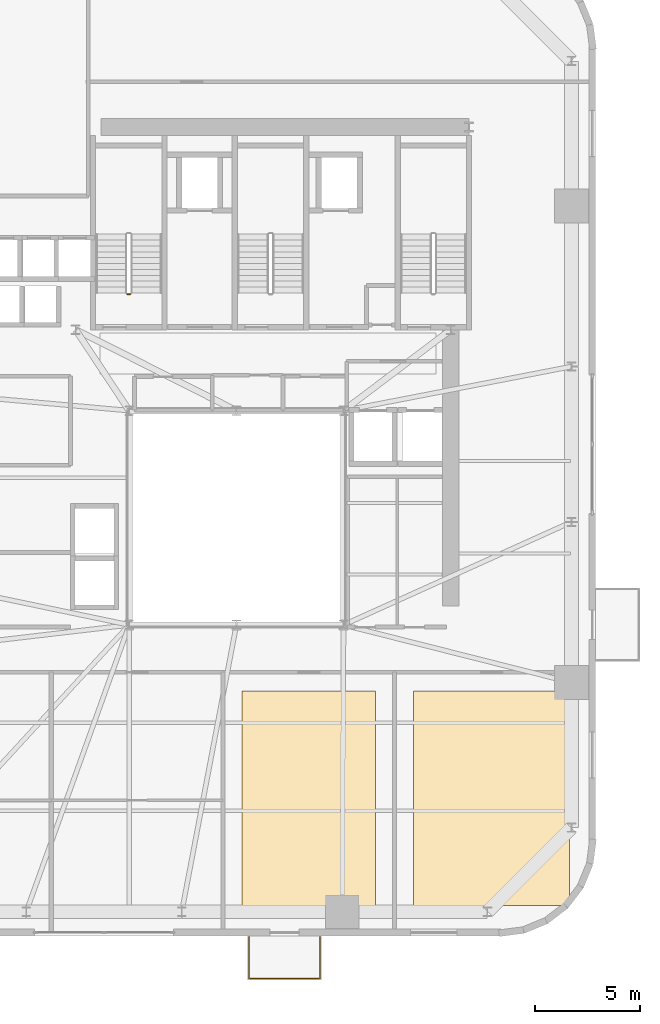
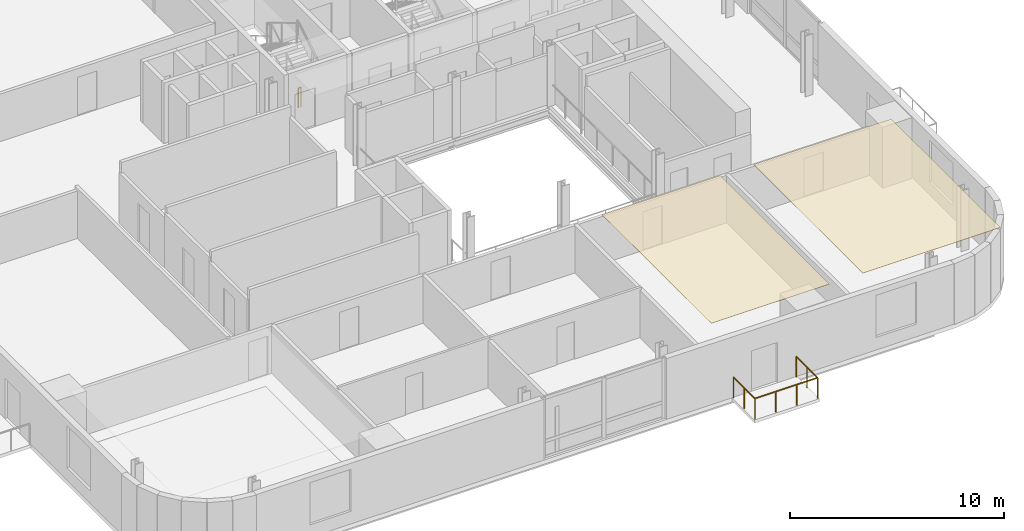
# One storey, part 11 of 13: 2 coverings, 2 railings.
"""IFC4 building model written with IfcOpenShell, lengths in metres."""

from ifc_helpers import new_model, si_unit, direction, frame, origin, origin_2d, place, context, subcontext, project, spatial, polyline, rectangle, outline, extrude, source, transform, mapped, material, layer, layer_set, type_object, element, save


model = new_model("IFC4")

# Units and contexts
model_context = context("Model", 3, precision=1e-05, world=origin(), true_north=direction((0.0, 1.0)))
body_context = subcontext(model_context, "Body", "Model", "MODEL_VIEW")
ifc_project = project(units=[si_unit("LENGTHUNIT", "METRE"), si_unit("AREAUNIT", "SQUARE_METRE"), si_unit("VOLUMEUNIT", "CUBIC_METRE"), si_unit("PLANEANGLEUNIT", "RADIAN"), si_unit("MASSUNIT", "GRAM", prefix="KILO")], contexts=[model_context])

# Site, building, storey
site_placement = place(None, origin())
site = spatial("IfcSite", under=ifc_project, at=site_placement, CompositionType="ELEMENT")
building_placement = place(site_placement, origin())
building = spatial("IfcBuilding", under=site, at=building_placement, Name="Vardaveli Station Tower", CompositionType="ELEMENT")
storey_placement = place(building_placement, frame((0.0, 0.0, 159.39990234375)))
storey = spatial("IfcBuildingStorey", under=building, at=storey_placement, Name="L41", CompositionType="ELEMENT", Elevation=159.39990234375)

# Coverings
ifc_material_1 = material(Name="Perforated acoustic mineral ceiling")
ifc_layer = layer(ifc_material_1, 0.02001953125, Name="Perforated acoustic mineral ceiling")
ifc_layer_set = layer_set([ifc_layer], Name="Perforated acoustic mineral ceiling")
covering_type = type_object("IfcCoveringType", Name="COV-CEIL-AC20", PredefinedType="CEILING", material=ifc_layer_set)
covering_1_placement = place(storey_placement, frame((0.0, 0.0, 3.445068359375)))
element("IfcCovering", 1, at=covering_1_placement, inside=storey, type_object=covering_type, Name="CEIL-L41-2", PredefinedType="CEILING", context=body_context, shape_type="SweptSolid", body=[
    extrude(outline(polyline([(36.56005859375, 3.25), (42.929931640625, 3.25), (42.929931640625, 13.449951171875), (36.56005859375, 13.449951171875), (36.56005859375, 3.25)])), origin(), (0.0, 0.0, 1.0), 0.02001953125),
])
covering_2_placement = place(storey_placement, frame((0.0, 0.0, 3.445068359375)))
element("IfcCovering", 2, at=covering_2_placement, inside=storey, type_object=covering_type, Name="CEIL-L41-3", PredefinedType="CEILING", context=body_context, shape_type="SweptSolid", body=[
    extrude(outline(polyline([(44.72998046875, 3.25), (52.14990234375, 3.25), (52.14990234375, 13.449951171875), (44.72998046875, 13.449951171875), (44.72998046875, 3.25)])), origin(), (0.0, 0.0, 1.0), 0.02001953125),
])

# Railings
ifc_material_2 = material(Name="Laminated glass and stainless steel balustrade", Category="steel")
railing_type_1 = type_object("IfcRailingType", Name="RL-BAL-1200", PredefinedType="BALUSTRADE", material=ifc_material_2)
shared_shape_1 = source(origin(), body_context, "Body", "SweptSolid", [
    extrude(rectangle(XDim=0.048095703125, YDim=0.048095703125, at=origin_2d()), frame((0.0, 0.0, 1.17578125), z_axis=(0.0, -1.0, 0.0), x_axis=(1.0, 0.0, 0.0)), (0.0, 0.0, 1.0), 2.0),
    extrude(rectangle(XDim=0.048095703125, YDim=0.048095703125, at=origin_2d()), frame((0.0, -2.0, 1.17578125), z_axis=(1.0, 0.0, 0.0), x_axis=(0.0, 1.0, 0.0)), (0.0, 0.0, 1.0), 3.3798828125),
    extrude(rectangle(XDim=0.048095703125, YDim=0.048095703125, at=origin_2d()), frame((3.3798828125, -2.0, 1.17578125), z_axis=(0.0, 1.0, 0.0), x_axis=(-1.0, 0.0, 0.0)), (0.0, 0.0, 1.0), 2.0),
    extrude(rectangle(XDim=0.0419921875, YDim=0.0419921875, at=origin_2d()), origin(), (0.0, 0.0, 1.0), 1.15185546875),
    extrude(rectangle(XDim=0.0419921875, YDim=0.0419921875, at=origin_2d()), frame((0.0, -1.0, 0.0)), (0.0, 0.0, 1.0), 1.15185546875),
    extrude(rectangle(XDim=0.0419921875, YDim=0.0419921875, at=origin_2d()), frame((0.0, -2.0, 0.0)), (0.0, 0.0, 1.0), 1.15185546875),
    extrude(rectangle(XDim=0.0419921875, YDim=0.0419921875, at=origin_2d()), frame((1.126708984375, -2.0, 0.0)), (0.0, 0.0, 1.0), 1.15185546875),
    extrude(rectangle(XDim=0.0419921875, YDim=0.0419921875, at=origin_2d()), frame((2.253173828125, -2.0, 0.0)), (0.0, 0.0, 1.0), 1.15185546875),
    extrude(rectangle(XDim=0.0419921875, YDim=0.0419921875, at=origin_2d()), frame((3.3798828125, -2.0, 0.0)), (0.0, 0.0, 1.0), 1.15185546875),
    extrude(rectangle(XDim=0.0419921875, YDim=0.0419921875, at=origin_2d()), frame((3.3798828125, -1.0, 0.0)), (0.0, 0.0, 1.0), 1.15185546875),
    extrude(rectangle(XDim=0.0419921875, YDim=0.0419921875, at=origin_2d()), frame((3.3798828125, 0.0, 0.0)), (0.0, 0.0, 1.0), 1.15185546875),
])
railing_1_placement = place(storey_placement, frame((36.899658203125, 1.760009765625, 0.0)))
element("IfcRailing", 3, at=railing_1_placement, inside=storey, type_object=railing_type_1, Name="RL-LOG-L41-01", PredefinedType="BALUSTRADE", context=body_context, shape_type="MappedRepresentation", body=[
    mapped(shared_shape_1, transform((0.0, 0.0, 0.0), scale=1.0)),
])
ifc_material_3 = material(Name="Brushed AISI 316 stainless steel", Category="steel")
railing_type_2 = type_object("IfcRailingType", Name="RL-GUARD-1150", PredefinedType="GUARDRAIL", material=ifc_material_3)
shared_shape_2 = source(origin(), body_context, "Body", "SweptSolid", [
    extrude(rectangle(XDim=0.048095703125, YDim=0.048095703125, at=origin_2d()), frame((0.0, 0.0, 1.1259765625), z_axis=(-1.0, 0.0, 0.0), x_axis=(0.0, -1.0, 0.0)), (0.0, 0.0, 1.0), 0.14990234375),
    extrude(rectangle(XDim=0.0419921875, YDim=0.0419921875, at=origin_2d()), origin(), (0.0, 0.0, 1.0), 1.101806640625),
    extrude(rectangle(XDim=0.0419921875, YDim=0.0419921875, at=origin_2d()), frame((-0.14990234375, 0.0, 0.0)), (0.0, 0.0, 1.0), 1.101806640625),
])
railing_2_placement = place(storey_placement, frame((31.25, 32.35009765625, 0.0)))
element("IfcRailing", 4, at=railing_2_placement, inside=storey, type_object=railing_type_2, Name="L41 ST-1 stair guard 4", PredefinedType="GUARDRAIL", context=body_context, shape_type="MappedRepresentation", body=[
    mapped(shared_shape_2, transform((0.0, 0.0, 0.0), scale=1.0)),
])

save(model, "model.ifc")
